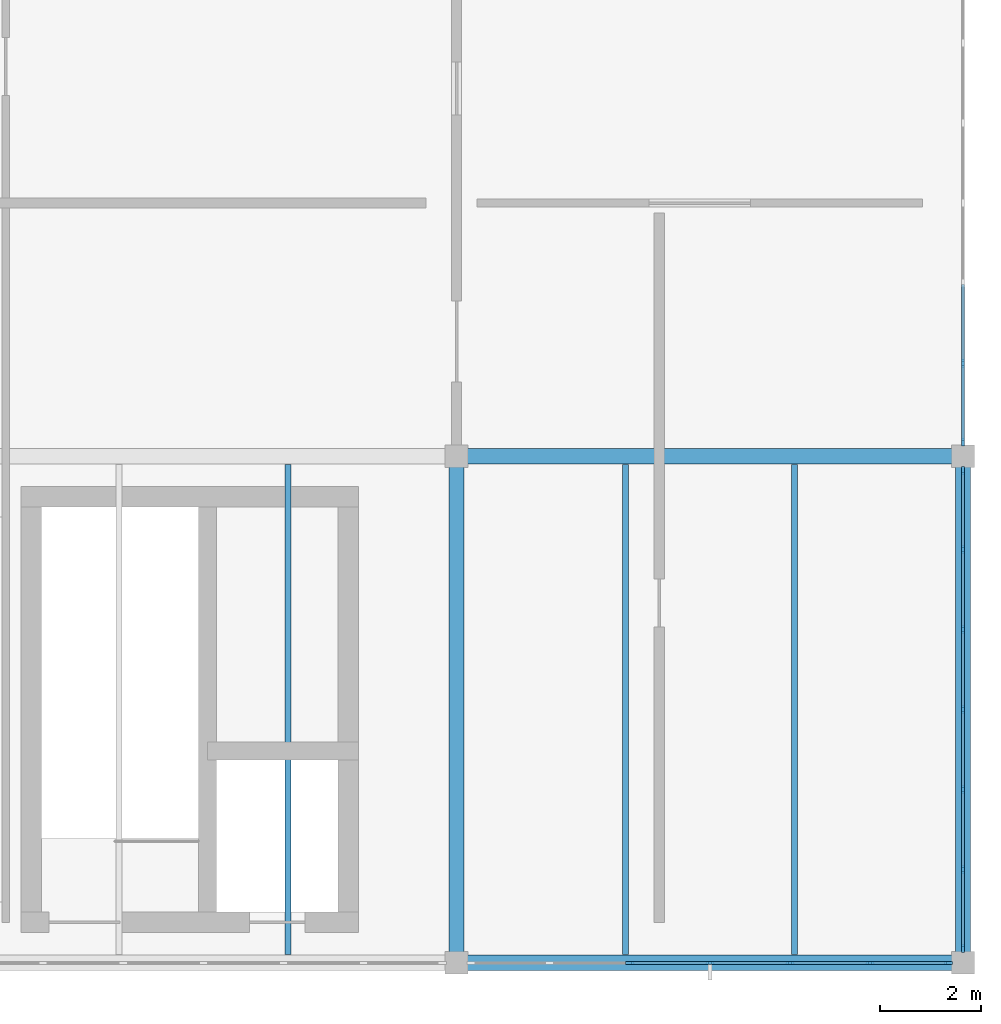
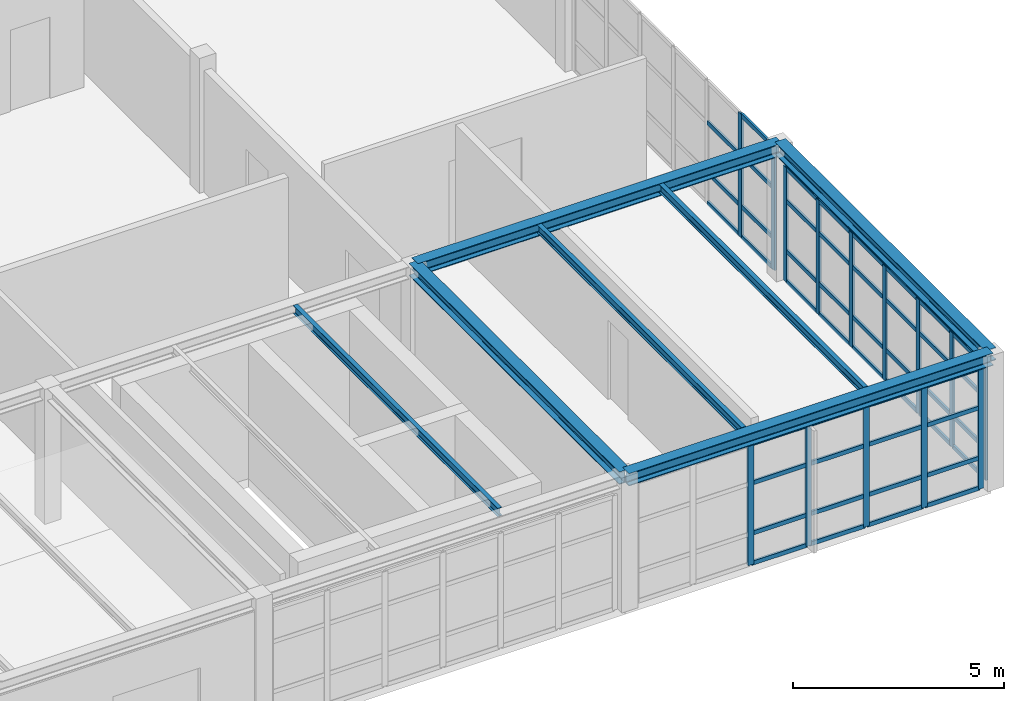
# One storey, part 3 of 11: 61 members, 7 beams, 3 elements without a shape of their own.
"""IFC4 building model written with IfcOpenShell, lengths in metres."""

from ifc_helpers import new_model, si_unit, direction, frame, origin, origin_2d, place, context, subcontext, project, spatial, rectangle, i_section, extrude, material, layer, layer_set, material_profile, profile_set, type_object, element, aggregate, save


model = new_model("IFC4")

# Units and contexts
model_context = context("Model", 3, precision=1e-05, world=origin(), true_north=direction((0.0, 1.0)))
body_context = subcontext(model_context, "Body", "Model", "MODEL_VIEW")
ifc_project = project(units=[si_unit("LENGTHUNIT", "METRE"), si_unit("AREAUNIT", "SQUARE_METRE"), si_unit("VOLUMEUNIT", "CUBIC_METRE"), si_unit("PLANEANGLEUNIT", "RADIAN"), si_unit("MASSUNIT", "GRAM", prefix="KILO"), si_unit("THERMODYNAMICTEMPERATUREUNIT", "KELVIN"), si_unit("POWERUNIT", "WATT")], contexts=[model_context])

# Site, building, storey
site_placement = place(None, origin())
site = spatial("IfcSite", under=ifc_project, at=site_placement, CompositionType="ELEMENT")
building_placement = place(site_placement, origin())
building = spatial("IfcBuilding", under=site, at=building_placement, Name="Korenveer Ferry Terminal", CompositionType="ELEMENT")
storey_placement = place(building_placement, frame((0.0, 0.0, 18.300048828125)))
storey = spatial("IfcBuildingStorey", under=building, at=storey_placement, Name="L04", CompositionType="ELEMENT", Elevation=18.300048828125)

# Curtain wall, members
ifc_material_1 = material(Name="Unitised bronze-and-glass curtain wall", Category="glass")
ifc_layer_1 = layer(ifc_material_1, 0.159912109375)
ifc_layer_set_1 = layer_set([ifc_layer_1], Name="Unitised bronze-and-glass curtain wall")
curtain_wall_type_1 = type_object("IfcCurtainWallType", Name="ENV-CW-130", PredefinedType="USERDEFINED", material=ifc_layer_set_1)
curtain_wall_1_placement = place(storey_placement, frame((20.2548828125, 20.0, 0.0)))
curtain_wall_1 = element("IfcCurtainWall", 1, at=curtain_wall_1_placement, inside=storey, type_object=curtain_wall_type_1, Name="Lancet curtain wall CWX-L04-X20-30-Y20-20", ObjectType="UNITISED CURTAIN WALL", PredefinedType="USERDEFINED")
ifc_material_2 = material(Name="Anodised bronze aluminium", Category="aluminium")
ifc_material_profile_1 = material_profile(ifc_material_2, rectangle(XDim=0.06005859375, YDim=0.159912109375, at=origin_2d()), Name="ALU 60x160")
ifc_profile_set_1 = profile_set([ifc_material_profile_1], Name="Anodised bronze aluminium")
member_type_1 = type_object("IfcMemberType", Name="ENV-CWM-60X160", PredefinedType="MULLION", material=ifc_profile_set_1)
member_1_placement = place(storey_placement, frame((23.418212890625, 20.0, 0.0), z_axis=(0.0, 0.0, 1.0), x_axis=(0.0, 1.0, 0.0)))
member_1 = element("IfcMember", 2, at=member_1_placement, type_object=member_type_1, Name="CW-130 mullion 3", PredefinedType="MULLION", context=body_context, shape_type="SweptSolid", body=[
    extrude(rectangle(XDim=0.06005859375, YDim=0.159912109375, at=origin_2d()), origin(), (0.0, 0.0, 1.0), 3.510009765625),
])
member_2_placement = place(storey_placement, frame((25.0, 20.0, 0.0), z_axis=(0.0, 0.0, 1.0), x_axis=(0.0, 1.0, 0.0)))
member_2 = element("IfcMember", 3, at=member_2_placement, type_object=member_type_1, Name="CW-130 mullion 4", PredefinedType="MULLION", context=body_context, shape_type="SweptSolid", body=[
    extrude(rectangle(XDim=0.06005859375, YDim=0.159912109375, at=origin_2d()), origin(), (0.0, 0.0, 1.0), 3.510009765625),
])
member_3_placement = place(storey_placement, frame((26.581787109375, 20.0, 0.0), z_axis=(0.0, 0.0, 1.0), x_axis=(0.0, 1.0, 0.0)))
member_3 = element("IfcMember", 4, at=member_3_placement, type_object=member_type_1, Name="CW-130 mullion 5", PredefinedType="MULLION", context=body_context, shape_type="SweptSolid", body=[
    extrude(rectangle(XDim=0.06005859375, YDim=0.159912109375, at=origin_2d()), origin(), (0.0, 0.0, 1.0), 3.510009765625),
])
member_4_placement = place(storey_placement, frame((28.163330078125, 20.0, 0.0), z_axis=(0.0, 0.0, 1.0), x_axis=(0.0, 1.0, 0.0)))
member_4 = element("IfcMember", 5, at=member_4_placement, type_object=member_type_1, Name="CW-130 mullion 6", PredefinedType="MULLION", context=body_context, shape_type="SweptSolid", body=[
    extrude(rectangle(XDim=0.06005859375, YDim=0.159912109375, at=origin_2d()), origin(), (0.0, 0.0, 1.0), 3.510009765625),
])
member_5_placement = place(storey_placement, frame((29.715087890625, 20.0, 0.0), z_axis=(0.0, 0.0, 1.0), x_axis=(0.0, 1.0, 0.0)))
member_5 = element("IfcMember", 6, at=member_5_placement, type_object=member_type_1, Name="CW-130 mullion 7", PredefinedType="MULLION", context=body_context, shape_type="SweptSolid", body=[
    extrude(rectangle(XDim=0.06005859375, YDim=0.159912109375, at=origin_2d()), origin(), (0.0, 0.0, 1.0), 3.510009765625),
])

ifc_layer_2 = layer(ifc_material_1, 0.159912109375)
ifc_layer_set_2 = layer_set([ifc_layer_2], Name="Unitised bronze-and-glass curtain wall")
curtain_wall_type_2 = type_object("IfcCurtainWallType", Name="ENV-CW-129", PredefinedType="USERDEFINED", material=ifc_layer_set_2)
curtain_wall_2_placement = place(storey_placement, frame((30.0, 29.7451171875, 0.0)))
curtain_wall_2 = element("IfcCurtainWall", 7, at=curtain_wall_2_placement, inside=storey, type_object=curtain_wall_type_2, Name="Lancet curtain wall CWX-L04-X30-30-Y20-30", ObjectType="UNITISED CURTAIN WALL", PredefinedType="USERDEFINED")
member_6_placement = place(storey_placement, frame((30.0, 29.715087890625, 0.0), z_axis=(0.0, 0.0, 1.0), x_axis=(1.0, 0.0, 0.0)))
member_6 = element("IfcMember", 8, at=member_6_placement, type_object=member_type_1, Name="CW-129 mullion 1", PredefinedType="MULLION", context=body_context, shape_type="SweptSolid", body=[
    extrude(rectangle(XDim=0.06005859375, YDim=0.159912109375, at=origin_2d()), origin(), (0.0, 0.0, 1.0), 3.31005859375),
])
member_7_placement = place(storey_placement, frame((30.0, 28.163330078125, 0.0), z_axis=(0.0, 0.0, 1.0), x_axis=(1.0, 0.0, 0.0)))
member_7 = element("IfcMember", 9, at=member_7_placement, type_object=member_type_1, Name="CW-129 mullion 2", PredefinedType="MULLION", context=body_context, shape_type="SweptSolid", body=[
    extrude(rectangle(XDim=0.06005859375, YDim=0.159912109375, at=origin_2d()), origin(), (0.0, 0.0, 1.0), 3.31005859375),
])
member_8_placement = place(storey_placement, frame((30.0, 26.581787109375, 0.0), z_axis=(0.0, 0.0, 1.0), x_axis=(1.0, 0.0, 0.0)))
member_8 = element("IfcMember", 10, at=member_8_placement, type_object=member_type_1, Name="CW-129 mullion 3", PredefinedType="MULLION", context=body_context, shape_type="SweptSolid", body=[
    extrude(rectangle(XDim=0.06005859375, YDim=0.159912109375, at=origin_2d()), origin(), (0.0, 0.0, 1.0), 3.31005859375),
])
member_9_placement = place(storey_placement, frame((30.0, 25.0, 0.0), z_axis=(0.0, 0.0, 1.0), x_axis=(1.0, 0.0, 0.0)))
member_9 = element("IfcMember", 11, at=member_9_placement, type_object=member_type_1, Name="CW-129 mullion 4", PredefinedType="MULLION", context=body_context, shape_type="SweptSolid", body=[
    extrude(rectangle(XDim=0.06005859375, YDim=0.159912109375, at=origin_2d()), origin(), (0.0, 0.0, 1.0), 3.31005859375),
])
member_10_placement = place(storey_placement, frame((30.0, 23.418212890625, 0.0), z_axis=(0.0, 0.0, 1.0), x_axis=(1.0, 0.0, 0.0)))
member_10 = element("IfcMember", 12, at=member_10_placement, type_object=member_type_1, Name="CW-129 mullion 5", PredefinedType="MULLION", context=body_context, shape_type="SweptSolid", body=[
    extrude(rectangle(XDim=0.06005859375, YDim=0.159912109375, at=origin_2d()), origin(), (0.0, 0.0, 1.0), 3.31005859375),
])
member_11_placement = place(storey_placement, frame((30.0, 21.836669921875, 0.0), z_axis=(0.0, 0.0, 1.0), x_axis=(1.0, 0.0, 0.0)))
member_11 = element("IfcMember", 13, at=member_11_placement, type_object=member_type_1, Name="CW-129 mullion 6", PredefinedType="MULLION", context=body_context, shape_type="SweptSolid", body=[
    extrude(rectangle(XDim=0.06005859375, YDim=0.159912109375, at=origin_2d()), origin(), (0.0, 0.0, 1.0), 3.31005859375),
])
member_12_placement = place(storey_placement, frame((30.0, 20.284912109375, 0.0), z_axis=(0.0, 0.0, 1.0), x_axis=(1.0, 0.0, 0.0)))
member_12 = element("IfcMember", 14, at=member_12_placement, type_object=member_type_1, Name="CW-129 mullion 7", PredefinedType="MULLION", context=body_context, shape_type="SweptSolid", body=[
    extrude(rectangle(XDim=0.06005859375, YDim=0.159912109375, at=origin_2d()), origin(), (0.0, 0.0, 1.0), 3.31005859375),
])

ifc_layer_3 = layer(ifc_material_1, 0.159912109375)
ifc_layer_set_3 = layer_set([ifc_layer_3], Name="Unitised bronze-and-glass curtain wall")
curtain_wall_type_3 = type_object("IfcCurtainWallType", Name="ENV-CW-132", PredefinedType="USERDEFINED", material=ifc_layer_set_3)
curtain_wall_3_placement = place(storey_placement, frame((30.0, 39.7451171875, 0.0)))
curtain_wall_3 = element("IfcCurtainWall", 15, at=curtain_wall_3_placement, inside=storey, type_object=curtain_wall_type_3, Name="Lancet curtain wall CWX-L04-X30-30-Y30-40", ObjectType="UNITISED CURTAIN WALL", PredefinedType="USERDEFINED")
member_13_placement = place(storey_placement, frame((30.0, 31.836669921875, 0.0), z_axis=(0.0, 0.0, 1.0), x_axis=(1.0, 0.0, 0.0)))
member_13 = element("IfcMember", 16, at=member_13_placement, type_object=member_type_1, Name="CW-132 mullion 6", PredefinedType="MULLION", context=body_context, shape_type="SweptSolid", body=[
    extrude(rectangle(XDim=0.06005859375, YDim=0.159912109375, at=origin_2d()), origin(), (0.0, 0.0, 1.0), 3.56005859375),
])
member_14_placement = place(storey_placement, frame((30.0, 30.284912109375, 0.0), z_axis=(0.0, 0.0, 1.0), x_axis=(1.0, 0.0, 0.0)))
member_14 = element("IfcMember", 17, at=member_14_placement, type_object=member_type_1, Name="CW-132 mullion 7", PredefinedType="MULLION", context=body_context, shape_type="SweptSolid", body=[
    extrude(rectangle(XDim=0.06005859375, YDim=0.159912109375, at=origin_2d()), origin(), (0.0, 0.0, 1.0), 3.56005859375),
])

# Member
ifc_material_profile_2 = material_profile(ifc_material_2, rectangle(XDim=0.06005859375, YDim=0.1201171875, at=origin_2d()), Name="ALU 60x120")
ifc_profile_set_2 = profile_set([ifc_material_profile_2], Name="Anodised bronze aluminium")
member_type_2 = type_object("IfcMemberType", Name="ENV-CWT-60X120", PredefinedType="USERDEFINED", material=ifc_profile_set_2)
member_15_placement = place(storey_placement, frame((23.4482421875, 20.0, 0.030029296875), z_axis=(1.0, 0.0, 0.0), x_axis=(0.0, 1.0, 0.0)))
member_15 = element("IfcMember", 18, at=member_15_placement, type_object=member_type_2, Name="CW-130 transom 3.1", ObjectType="TRANSOM", PredefinedType="USERDEFINED", context=body_context, shape_type="SweptSolid", body=[
    extrude(rectangle(XDim=0.06005859375, YDim=0.1201171875, at=origin_2d()), origin(), (0.0, 0.0, 1.0), 1.521728515625),
])

member_16_placement = place(storey_placement, frame((23.4482421875, 20.0, 0.89990234375), z_axis=(1.0, 0.0, 0.0), x_axis=(0.0, 1.0, 0.0)))
member_16 = element("IfcMember", 19, at=member_16_placement, type_object=member_type_2, Name="CW-130 transom 3.2", ObjectType="TRANSOM", PredefinedType="USERDEFINED", context=body_context, shape_type="SweptSolid", body=[
    extrude(rectangle(XDim=0.06005859375, YDim=0.1201171875, at=origin_2d()), origin(), (0.0, 0.0, 1.0), 1.521728515625),
])

member_17_placement = place(storey_placement, frame((23.4482421875, 20.0, 2.349853515625), z_axis=(1.0, 0.0, 0.0), x_axis=(0.0, 1.0, 0.0)))
member_17 = element("IfcMember", 20, at=member_17_placement, type_object=member_type_2, Name="CW-130 transom 3.3", ObjectType="TRANSOM", PredefinedType="USERDEFINED", context=body_context, shape_type="SweptSolid", body=[
    extrude(rectangle(XDim=0.06005859375, YDim=0.1201171875, at=origin_2d()), origin(), (0.0, 0.0, 1.0), 1.521728515625),
])

member_18_placement = place(storey_placement, frame((23.4482421875, 20.0, 3.47998046875), z_axis=(1.0, 0.0, 0.0), x_axis=(0.0, 1.0, 0.0)))
member_18 = element("IfcMember", 21, at=member_18_placement, type_object=member_type_2, Name="CW-130 transom 3.4", ObjectType="TRANSOM", PredefinedType="USERDEFINED", context=body_context, shape_type="SweptSolid", body=[
    extrude(rectangle(XDim=0.06005859375, YDim=0.1201171875, at=origin_2d()), origin(), (0.0, 0.0, 1.0), 1.521728515625),
])

member_19_placement = place(storey_placement, frame((25.030029296875, 20.0, 0.030029296875), z_axis=(1.0, 0.0, 0.0), x_axis=(0.0, 1.0, 0.0)))
member_19 = element("IfcMember", 22, at=member_19_placement, type_object=member_type_2, Name="CW-130 transom 4.1", ObjectType="TRANSOM", PredefinedType="USERDEFINED", context=body_context, shape_type="SweptSolid", body=[
    extrude(rectangle(XDim=0.06005859375, YDim=0.1201171875, at=origin_2d()), origin(), (0.0, 0.0, 1.0), 1.521728515625),
])

member_20_placement = place(storey_placement, frame((25.030029296875, 20.0, 0.89990234375), z_axis=(1.0, 0.0, 0.0), x_axis=(0.0, 1.0, 0.0)))
member_20 = element("IfcMember", 23, at=member_20_placement, type_object=member_type_2, Name="CW-130 transom 4.2", ObjectType="TRANSOM", PredefinedType="USERDEFINED", context=body_context, shape_type="SweptSolid", body=[
    extrude(rectangle(XDim=0.06005859375, YDim=0.1201171875, at=origin_2d()), origin(), (0.0, 0.0, 1.0), 1.521728515625),
])

member_21_placement = place(storey_placement, frame((25.030029296875, 20.0, 2.349853515625), z_axis=(1.0, 0.0, 0.0), x_axis=(0.0, 1.0, 0.0)))
member_21 = element("IfcMember", 24, at=member_21_placement, type_object=member_type_2, Name="CW-130 transom 4.3", ObjectType="TRANSOM", PredefinedType="USERDEFINED", context=body_context, shape_type="SweptSolid", body=[
    extrude(rectangle(XDim=0.06005859375, YDim=0.1201171875, at=origin_2d()), origin(), (0.0, 0.0, 1.0), 1.521728515625),
])

member_22_placement = place(storey_placement, frame((25.030029296875, 20.0, 3.47998046875), z_axis=(1.0, 0.0, 0.0), x_axis=(0.0, 1.0, 0.0)))
member_22 = element("IfcMember", 25, at=member_22_placement, type_object=member_type_2, Name="CW-130 transom 4.4", ObjectType="TRANSOM", PredefinedType="USERDEFINED", context=body_context, shape_type="SweptSolid", body=[
    extrude(rectangle(XDim=0.06005859375, YDim=0.1201171875, at=origin_2d()), origin(), (0.0, 0.0, 1.0), 1.521728515625),
])

member_23_placement = place(storey_placement, frame((26.611572265625, 20.0, 0.030029296875), z_axis=(1.0, 0.0, 0.0), x_axis=(0.0, 1.0, 0.0)))
member_23 = element("IfcMember", 26, at=member_23_placement, type_object=member_type_2, Name="CW-130 transom 5.1", ObjectType="TRANSOM", PredefinedType="USERDEFINED", context=body_context, shape_type="SweptSolid", body=[
    extrude(rectangle(XDim=0.06005859375, YDim=0.1201171875, at=origin_2d()), origin(), (0.0, 0.0, 1.0), 1.521728515625),
])

member_24_placement = place(storey_placement, frame((26.611572265625, 20.0, 0.89990234375), z_axis=(1.0, 0.0, 0.0), x_axis=(0.0, 1.0, 0.0)))
member_24 = element("IfcMember", 27, at=member_24_placement, type_object=member_type_2, Name="CW-130 transom 5.2", ObjectType="TRANSOM", PredefinedType="USERDEFINED", context=body_context, shape_type="SweptSolid", body=[
    extrude(rectangle(XDim=0.06005859375, YDim=0.1201171875, at=origin_2d()), origin(), (0.0, 0.0, 1.0), 1.521728515625),
])

member_25_placement = place(storey_placement, frame((26.611572265625, 20.0, 2.349853515625), z_axis=(1.0, 0.0, 0.0), x_axis=(0.0, 1.0, 0.0)))
member_25 = element("IfcMember", 28, at=member_25_placement, type_object=member_type_2, Name="CW-130 transom 5.3", ObjectType="TRANSOM", PredefinedType="USERDEFINED", context=body_context, shape_type="SweptSolid", body=[
    extrude(rectangle(XDim=0.06005859375, YDim=0.1201171875, at=origin_2d()), origin(), (0.0, 0.0, 1.0), 1.521728515625),
])

member_26_placement = place(storey_placement, frame((26.611572265625, 20.0, 3.47998046875), z_axis=(1.0, 0.0, 0.0), x_axis=(0.0, 1.0, 0.0)))
member_26 = element("IfcMember", 29, at=member_26_placement, type_object=member_type_2, Name="CW-130 transom 5.4", ObjectType="TRANSOM", PredefinedType="USERDEFINED", context=body_context, shape_type="SweptSolid", body=[
    extrude(rectangle(XDim=0.06005859375, YDim=0.1201171875, at=origin_2d()), origin(), (0.0, 0.0, 1.0), 1.521728515625),
])

member_27_placement = place(storey_placement, frame((28.193359375, 20.0, 0.030029296875), z_axis=(1.0, 0.0, 0.0), x_axis=(0.0, 1.0, 0.0)))
member_27 = element("IfcMember", 30, at=member_27_placement, type_object=member_type_2, Name="CW-130 transom 6.1", ObjectType="TRANSOM", PredefinedType="USERDEFINED", context=body_context, shape_type="SweptSolid", body=[
    extrude(rectangle(XDim=0.06005859375, YDim=0.1201171875, at=origin_2d()), origin(), (0.0, 0.0, 1.0), 1.49169921875),
])

member_28_placement = place(storey_placement, frame((28.193359375, 20.0, 0.89990234375), z_axis=(1.0, 0.0, 0.0), x_axis=(0.0, 1.0, 0.0)))
member_28 = element("IfcMember", 31, at=member_28_placement, type_object=member_type_2, Name="CW-130 transom 6.2", ObjectType="TRANSOM", PredefinedType="USERDEFINED", context=body_context, shape_type="SweptSolid", body=[
    extrude(rectangle(XDim=0.06005859375, YDim=0.1201171875, at=origin_2d()), origin(), (0.0, 0.0, 1.0), 1.49169921875),
])

member_29_placement = place(storey_placement, frame((28.193359375, 20.0, 2.349853515625), z_axis=(1.0, 0.0, 0.0), x_axis=(0.0, 1.0, 0.0)))
member_29 = element("IfcMember", 32, at=member_29_placement, type_object=member_type_2, Name="CW-130 transom 6.3", ObjectType="TRANSOM", PredefinedType="USERDEFINED", context=body_context, shape_type="SweptSolid", body=[
    extrude(rectangle(XDim=0.06005859375, YDim=0.1201171875, at=origin_2d()), origin(), (0.0, 0.0, 1.0), 1.49169921875),
])

member_30_placement = place(storey_placement, frame((28.193359375, 20.0, 3.47998046875), z_axis=(1.0, 0.0, 0.0), x_axis=(0.0, 1.0, 0.0)))
member_30 = element("IfcMember", 33, at=member_30_placement, type_object=member_type_2, Name="CW-130 transom 6.4", ObjectType="TRANSOM", PredefinedType="USERDEFINED", context=body_context, shape_type="SweptSolid", body=[
    extrude(rectangle(XDim=0.06005859375, YDim=0.1201171875, at=origin_2d()), origin(), (0.0, 0.0, 1.0), 1.49169921875),
])

aggregate(curtain_wall_1, [member_1, member_2, member_3, member_4, member_5, member_15, member_16, member_17, member_18, member_19, member_20, member_21, member_22, member_23, member_24, member_25, member_26, member_27, member_28, member_29, member_30])

member_31_placement = place(storey_placement, frame((30.0, 29.68505859375, 0.030029296875), z_axis=(0.0, -1.0, 0.0), x_axis=(1.0, 0.0, 0.0)))
member_31 = element("IfcMember", 34, at=member_31_placement, type_object=member_type_2, Name="CW-129 transom 1.1", ObjectType="TRANSOM", PredefinedType="USERDEFINED", context=body_context, shape_type="SweptSolid", body=[
    extrude(rectangle(XDim=0.06005859375, YDim=0.1201171875, at=origin_2d()), origin(), (0.0, 0.0, 1.0), 1.49169921875),
])

member_32_placement = place(storey_placement, frame((30.0, 29.68505859375, 0.89990234375), z_axis=(0.0, -1.0, 0.0), x_axis=(1.0, 0.0, 0.0)))
member_32 = element("IfcMember", 35, at=member_32_placement, type_object=member_type_2, Name="CW-129 transom 1.2", ObjectType="TRANSOM", PredefinedType="USERDEFINED", context=body_context, shape_type="SweptSolid", body=[
    extrude(rectangle(XDim=0.06005859375, YDim=0.1201171875, at=origin_2d()), origin(), (0.0, 0.0, 1.0), 1.49169921875),
])

member_33_placement = place(storey_placement, frame((30.0, 29.68505859375, 2.349853515625), z_axis=(0.0, -1.0, 0.0), x_axis=(1.0, 0.0, 0.0)))
member_33 = element("IfcMember", 36, at=member_33_placement, type_object=member_type_2, Name="CW-129 transom 1.3", ObjectType="TRANSOM", PredefinedType="USERDEFINED", context=body_context, shape_type="SweptSolid", body=[
    extrude(rectangle(XDim=0.06005859375, YDim=0.1201171875, at=origin_2d()), origin(), (0.0, 0.0, 1.0), 1.49169921875),
])

member_34_placement = place(storey_placement, frame((30.0, 29.68505859375, 3.280029296875), z_axis=(0.0, -1.0, 0.0), x_axis=(1.0, 0.0, 0.0)))
member_34 = element("IfcMember", 37, at=member_34_placement, type_object=member_type_2, Name="CW-129 transom 1.4", ObjectType="TRANSOM", PredefinedType="USERDEFINED", context=body_context, shape_type="SweptSolid", body=[
    extrude(rectangle(XDim=0.06005859375, YDim=0.1201171875, at=origin_2d()), origin(), (0.0, 0.0, 1.0), 1.49169921875),
])

member_35_placement = place(storey_placement, frame((30.0, 28.13330078125, 0.030029296875), z_axis=(0.0, -1.0, 0.0), x_axis=(1.0, 0.0, 0.0)))
member_35 = element("IfcMember", 38, at=member_35_placement, type_object=member_type_2, Name="CW-129 transom 2.1", ObjectType="TRANSOM", PredefinedType="USERDEFINED", context=body_context, shape_type="SweptSolid", body=[
    extrude(rectangle(XDim=0.06005859375, YDim=0.1201171875, at=origin_2d()), origin(), (0.0, 0.0, 1.0), 1.521728515625),
])

member_36_placement = place(storey_placement, frame((30.0, 28.13330078125, 0.89990234375), z_axis=(0.0, -1.0, 0.0), x_axis=(1.0, 0.0, 0.0)))
member_36 = element("IfcMember", 39, at=member_36_placement, type_object=member_type_2, Name="CW-129 transom 2.2", ObjectType="TRANSOM", PredefinedType="USERDEFINED", context=body_context, shape_type="SweptSolid", body=[
    extrude(rectangle(XDim=0.06005859375, YDim=0.1201171875, at=origin_2d()), origin(), (0.0, 0.0, 1.0), 1.521728515625),
])

member_37_placement = place(storey_placement, frame((30.0, 28.13330078125, 2.349853515625), z_axis=(0.0, -1.0, 0.0), x_axis=(1.0, 0.0, 0.0)))
member_37 = element("IfcMember", 40, at=member_37_placement, type_object=member_type_2, Name="CW-129 transom 2.3", ObjectType="TRANSOM", PredefinedType="USERDEFINED", context=body_context, shape_type="SweptSolid", body=[
    extrude(rectangle(XDim=0.06005859375, YDim=0.1201171875, at=origin_2d()), origin(), (0.0, 0.0, 1.0), 1.521728515625),
])

member_38_placement = place(storey_placement, frame((30.0, 28.13330078125, 3.280029296875), z_axis=(0.0, -1.0, 0.0), x_axis=(1.0, 0.0, 0.0)))
member_38 = element("IfcMember", 41, at=member_38_placement, type_object=member_type_2, Name="CW-129 transom 2.4", ObjectType="TRANSOM", PredefinedType="USERDEFINED", context=body_context, shape_type="SweptSolid", body=[
    extrude(rectangle(XDim=0.06005859375, YDim=0.1201171875, at=origin_2d()), origin(), (0.0, 0.0, 1.0), 1.521728515625),
])

member_39_placement = place(storey_placement, frame((30.0, 26.5517578125, 0.030029296875), z_axis=(0.0, -1.0, 0.0), x_axis=(1.0, 0.0, 0.0)))
member_39 = element("IfcMember", 42, at=member_39_placement, type_object=member_type_2, Name="CW-129 transom 3.1", ObjectType="TRANSOM", PredefinedType="USERDEFINED", context=body_context, shape_type="SweptSolid", body=[
    extrude(rectangle(XDim=0.06005859375, YDim=0.1201171875, at=origin_2d()), origin(), (0.0, 0.0, 1.0), 1.521728515625),
])

member_40_placement = place(storey_placement, frame((30.0, 26.5517578125, 0.89990234375), z_axis=(0.0, -1.0, 0.0), x_axis=(1.0, 0.0, 0.0)))
member_40 = element("IfcMember", 43, at=member_40_placement, type_object=member_type_2, Name="CW-129 transom 3.2", ObjectType="TRANSOM", PredefinedType="USERDEFINED", context=body_context, shape_type="SweptSolid", body=[
    extrude(rectangle(XDim=0.06005859375, YDim=0.1201171875, at=origin_2d()), origin(), (0.0, 0.0, 1.0), 1.521728515625),
])

member_41_placement = place(storey_placement, frame((30.0, 26.5517578125, 2.349853515625), z_axis=(0.0, -1.0, 0.0), x_axis=(1.0, 0.0, 0.0)))
member_41 = element("IfcMember", 44, at=member_41_placement, type_object=member_type_2, Name="CW-129 transom 3.3", ObjectType="TRANSOM", PredefinedType="USERDEFINED", context=body_context, shape_type="SweptSolid", body=[
    extrude(rectangle(XDim=0.06005859375, YDim=0.1201171875, at=origin_2d()), origin(), (0.0, 0.0, 1.0), 1.521728515625),
])

member_42_placement = place(storey_placement, frame((30.0, 26.5517578125, 3.280029296875), z_axis=(0.0, -1.0, 0.0), x_axis=(1.0, 0.0, 0.0)))
member_42 = element("IfcMember", 45, at=member_42_placement, type_object=member_type_2, Name="CW-129 transom 3.4", ObjectType="TRANSOM", PredefinedType="USERDEFINED", context=body_context, shape_type="SweptSolid", body=[
    extrude(rectangle(XDim=0.06005859375, YDim=0.1201171875, at=origin_2d()), origin(), (0.0, 0.0, 1.0), 1.521728515625),
])

member_43_placement = place(storey_placement, frame((30.0, 24.969970703125, 0.030029296875), z_axis=(0.0, -1.0, 0.0), x_axis=(1.0, 0.0, 0.0)))
member_43 = element("IfcMember", 46, at=member_43_placement, type_object=member_type_2, Name="CW-129 transom 4.1", ObjectType="TRANSOM", PredefinedType="USERDEFINED", context=body_context, shape_type="SweptSolid", body=[
    extrude(rectangle(XDim=0.06005859375, YDim=0.1201171875, at=origin_2d()), origin(), (0.0, 0.0, 1.0), 1.521728515625),
])

member_44_placement = place(storey_placement, frame((30.0, 24.969970703125, 0.89990234375), z_axis=(0.0, -1.0, 0.0), x_axis=(1.0, 0.0, 0.0)))
member_44 = element("IfcMember", 47, at=member_44_placement, type_object=member_type_2, Name="CW-129 transom 4.2", ObjectType="TRANSOM", PredefinedType="USERDEFINED", context=body_context, shape_type="SweptSolid", body=[
    extrude(rectangle(XDim=0.06005859375, YDim=0.1201171875, at=origin_2d()), origin(), (0.0, 0.0, 1.0), 1.521728515625),
])

member_45_placement = place(storey_placement, frame((30.0, 24.969970703125, 2.349853515625), z_axis=(0.0, -1.0, 0.0), x_axis=(1.0, 0.0, 0.0)))
member_45 = element("IfcMember", 48, at=member_45_placement, type_object=member_type_2, Name="CW-129 transom 4.3", ObjectType="TRANSOM", PredefinedType="USERDEFINED", context=body_context, shape_type="SweptSolid", body=[
    extrude(rectangle(XDim=0.06005859375, YDim=0.1201171875, at=origin_2d()), origin(), (0.0, 0.0, 1.0), 1.521728515625),
])

member_46_placement = place(storey_placement, frame((30.0, 24.969970703125, 3.280029296875), z_axis=(0.0, -1.0, 0.0), x_axis=(1.0, 0.0, 0.0)))
member_46 = element("IfcMember", 49, at=member_46_placement, type_object=member_type_2, Name="CW-129 transom 4.4", ObjectType="TRANSOM", PredefinedType="USERDEFINED", context=body_context, shape_type="SweptSolid", body=[
    extrude(rectangle(XDim=0.06005859375, YDim=0.1201171875, at=origin_2d()), origin(), (0.0, 0.0, 1.0), 1.521728515625),
])

member_47_placement = place(storey_placement, frame((30.0, 23.388427734375, 0.030029296875), z_axis=(0.0, -1.0, 0.0), x_axis=(1.0, 0.0, 0.0)))
member_47 = element("IfcMember", 50, at=member_47_placement, type_object=member_type_2, Name="CW-129 transom 5.1", ObjectType="TRANSOM", PredefinedType="USERDEFINED", context=body_context, shape_type="SweptSolid", body=[
    extrude(rectangle(XDim=0.06005859375, YDim=0.1201171875, at=origin_2d()), origin(), (0.0, 0.0, 1.0), 1.521728515625),
])

member_48_placement = place(storey_placement, frame((30.0, 23.388427734375, 0.89990234375), z_axis=(0.0, -1.0, 0.0), x_axis=(1.0, 0.0, 0.0)))
member_48 = element("IfcMember", 51, at=member_48_placement, type_object=member_type_2, Name="CW-129 transom 5.2", ObjectType="TRANSOM", PredefinedType="USERDEFINED", context=body_context, shape_type="SweptSolid", body=[
    extrude(rectangle(XDim=0.06005859375, YDim=0.1201171875, at=origin_2d()), origin(), (0.0, 0.0, 1.0), 1.521728515625),
])

member_49_placement = place(storey_placement, frame((30.0, 23.388427734375, 2.349853515625), z_axis=(0.0, -1.0, 0.0), x_axis=(1.0, 0.0, 0.0)))
member_49 = element("IfcMember", 52, at=member_49_placement, type_object=member_type_2, Name="CW-129 transom 5.3", ObjectType="TRANSOM", PredefinedType="USERDEFINED", context=body_context, shape_type="SweptSolid", body=[
    extrude(rectangle(XDim=0.06005859375, YDim=0.1201171875, at=origin_2d()), origin(), (0.0, 0.0, 1.0), 1.521728515625),
])

member_50_placement = place(storey_placement, frame((30.0, 23.388427734375, 3.280029296875), z_axis=(0.0, -1.0, 0.0), x_axis=(1.0, 0.0, 0.0)))
member_50 = element("IfcMember", 53, at=member_50_placement, type_object=member_type_2, Name="CW-129 transom 5.4", ObjectType="TRANSOM", PredefinedType="USERDEFINED", context=body_context, shape_type="SweptSolid", body=[
    extrude(rectangle(XDim=0.06005859375, YDim=0.1201171875, at=origin_2d()), origin(), (0.0, 0.0, 1.0), 1.521728515625),
])

member_51_placement = place(storey_placement, frame((30.0, 21.806640625, 0.030029296875), z_axis=(0.0, -1.0, 0.0), x_axis=(1.0, 0.0, 0.0)))
member_51 = element("IfcMember", 54, at=member_51_placement, type_object=member_type_2, Name="CW-129 transom 6.1", ObjectType="TRANSOM", PredefinedType="USERDEFINED", context=body_context, shape_type="SweptSolid", body=[
    extrude(rectangle(XDim=0.06005859375, YDim=0.1201171875, at=origin_2d()), origin(), (0.0, 0.0, 1.0), 1.49169921875),
])

member_52_placement = place(storey_placement, frame((30.0, 21.806640625, 0.89990234375), z_axis=(0.0, -1.0, 0.0), x_axis=(1.0, 0.0, 0.0)))
member_52 = element("IfcMember", 55, at=member_52_placement, type_object=member_type_2, Name="CW-129 transom 6.2", ObjectType="TRANSOM", PredefinedType="USERDEFINED", context=body_context, shape_type="SweptSolid", body=[
    extrude(rectangle(XDim=0.06005859375, YDim=0.1201171875, at=origin_2d()), origin(), (0.0, 0.0, 1.0), 1.49169921875),
])

member_53_placement = place(storey_placement, frame((30.0, 21.806640625, 2.349853515625), z_axis=(0.0, -1.0, 0.0), x_axis=(1.0, 0.0, 0.0)))
member_53 = element("IfcMember", 56, at=member_53_placement, type_object=member_type_2, Name="CW-129 transom 6.3", ObjectType="TRANSOM", PredefinedType="USERDEFINED", context=body_context, shape_type="SweptSolid", body=[
    extrude(rectangle(XDim=0.06005859375, YDim=0.1201171875, at=origin_2d()), origin(), (0.0, 0.0, 1.0), 1.49169921875),
])

member_54_placement = place(storey_placement, frame((30.0, 21.806640625, 3.280029296875), z_axis=(0.0, -1.0, 0.0), x_axis=(1.0, 0.0, 0.0)))
member_54 = element("IfcMember", 57, at=member_54_placement, type_object=member_type_2, Name="CW-129 transom 6.4", ObjectType="TRANSOM", PredefinedType="USERDEFINED", context=body_context, shape_type="SweptSolid", body=[
    extrude(rectangle(XDim=0.06005859375, YDim=0.1201171875, at=origin_2d()), origin(), (0.0, 0.0, 1.0), 1.49169921875),
])

aggregate(curtain_wall_2, [member_6, member_7, member_8, member_9, member_10, member_11, member_12, member_31, member_32, member_33, member_34, member_35, member_36, member_37, member_38, member_39, member_40, member_41, member_42, member_43, member_44, member_45, member_46, member_47, member_48, member_49, member_50, member_51, member_52, member_53, member_54])

member_55_placement = place(storey_placement, frame((30.0, 33.388427734375, 0.030029296875), z_axis=(0.0, -1.0, 0.0), x_axis=(1.0, 0.0, 0.0)))
member_55 = element("IfcMember", 58, at=member_55_placement, type_object=member_type_2, Name="CW-132 transom 5.1", ObjectType="TRANSOM", PredefinedType="USERDEFINED", context=body_context, shape_type="SweptSolid", body=[
    extrude(rectangle(XDim=0.06005859375, YDim=0.1201171875, at=origin_2d()), origin(), (0.0, 0.0, 1.0), 1.521728515625),
])

member_56_placement = place(storey_placement, frame((30.0, 33.388427734375, 0.89990234375), z_axis=(0.0, -1.0, 0.0), x_axis=(1.0, 0.0, 0.0)))
member_56 = element("IfcMember", 59, at=member_56_placement, type_object=member_type_2, Name="CW-132 transom 5.2", ObjectType="TRANSOM", PredefinedType="USERDEFINED", context=body_context, shape_type="SweptSolid", body=[
    extrude(rectangle(XDim=0.06005859375, YDim=0.1201171875, at=origin_2d()), origin(), (0.0, 0.0, 1.0), 1.521728515625),
])

member_57_placement = place(storey_placement, frame((30.0, 33.388427734375, 2.349853515625), z_axis=(0.0, -1.0, 0.0), x_axis=(1.0, 0.0, 0.0)))
member_57 = element("IfcMember", 60, at=member_57_placement, type_object=member_type_2, Name="CW-132 transom 5.3", ObjectType="TRANSOM", PredefinedType="USERDEFINED", context=body_context, shape_type="SweptSolid", body=[
    extrude(rectangle(XDim=0.06005859375, YDim=0.1201171875, at=origin_2d()), origin(), (0.0, 0.0, 1.0), 1.521728515625),
])

member_58_placement = place(storey_placement, frame((30.0, 31.806640625, 0.030029296875), z_axis=(0.0, -1.0, 0.0), x_axis=(1.0, 0.0, 0.0)))
member_58 = element("IfcMember", 61, at=member_58_placement, type_object=member_type_2, Name="CW-132 transom 6.1", ObjectType="TRANSOM", PredefinedType="USERDEFINED", context=body_context, shape_type="SweptSolid", body=[
    extrude(rectangle(XDim=0.06005859375, YDim=0.1201171875, at=origin_2d()), origin(), (0.0, 0.0, 1.0), 1.49169921875),
])

member_59_placement = place(storey_placement, frame((30.0, 31.806640625, 0.89990234375), z_axis=(0.0, -1.0, 0.0), x_axis=(1.0, 0.0, 0.0)))
member_59 = element("IfcMember", 62, at=member_59_placement, type_object=member_type_2, Name="CW-132 transom 6.2", ObjectType="TRANSOM", PredefinedType="USERDEFINED", context=body_context, shape_type="SweptSolid", body=[
    extrude(rectangle(XDim=0.06005859375, YDim=0.1201171875, at=origin_2d()), origin(), (0.0, 0.0, 1.0), 1.49169921875),
])

member_60_placement = place(storey_placement, frame((30.0, 31.806640625, 2.349853515625), z_axis=(0.0, -1.0, 0.0), x_axis=(1.0, 0.0, 0.0)))
member_60 = element("IfcMember", 63, at=member_60_placement, type_object=member_type_2, Name="CW-132 transom 6.3", ObjectType="TRANSOM", PredefinedType="USERDEFINED", context=body_context, shape_type="SweptSolid", body=[
    extrude(rectangle(XDim=0.06005859375, YDim=0.1201171875, at=origin_2d()), origin(), (0.0, 0.0, 1.0), 1.49169921875),
])

member_61_placement = place(storey_placement, frame((30.0, 31.806640625, 3.530029296875), z_axis=(0.0, -1.0, 0.0), x_axis=(1.0, 0.0, 0.0)))
member_61 = element("IfcMember", 64, at=member_61_placement, type_object=member_type_2, Name="CW-132 transom 6.4", ObjectType="TRANSOM", PredefinedType="USERDEFINED", context=body_context, shape_type="SweptSolid", body=[
    extrude(rectangle(XDim=0.06005859375, YDim=0.1201171875, at=origin_2d()), origin(), (0.0, 0.0, 1.0), 1.49169921875),
])

aggregate(curtain_wall_3, [member_13, member_14, member_55, member_56, member_57, member_58, member_59, member_60, member_61])

# Beams
ifc_material_3 = material(Name="Steel S355", Category="steel")
ifc_material_profile_3 = material_profile(ifc_material_3, i_section(OverallWidth=0.300048828125, OverallDepth=0.360107421875, WebThickness=0.012451171875, FlangeThickness=0.0224609375, FilletRadius=0.027099609375, at=origin_2d()), Name="HEB 360")
ifc_profile_set_3 = profile_set([ifc_material_profile_3], Name="Steel S355")
beam_type_1 = type_object("IfcBeamType", Name="STR-BM-HEB360", PredefinedType="BEAM", material=ifc_profile_set_3)
for number, where, z_axis, x_axis, name in (
    (65, (20.02001953125, 20.0, 3.719970703125), (1.0, 0.0, 0.0), (0.0, 1.0, 0.0), "Head-house X beam 20 20"),
    (66, (20.02001953125, 30.0, 3.719970703125), (1.0, 0.0, 0.0), (0.0, 1.0, 0.0), "Head-house X beam 20 30"),
    (67, (20.0, 20.02001953125, 3.719970703125), (0.0, 1.0, 0.0), (-1.0, 0.0, 0.0), "Head-house Y beam 20"),
    (68, (30.0, 20.02001953125, 3.719970703125), (0.0, 1.0, 0.0), (-1.0, 0.0, 0.0), "Head-house Y beam 30"),
):
    element("IfcBeam", number, at=place(storey_placement, frame(where, z_axis=z_axis, x_axis=x_axis)), inside=storey, type_object=beam_type_1, Name=name, PredefinedType="BEAM", context=body_context, shape_type="SweptSolid", body=[
        extrude(i_section(OverallWidth=0.300048828125, OverallDepth=0.360107421875, WebThickness=0.012451171875, FlangeThickness=0.0224609375, FilletRadius=0.027099609375, at=origin_2d()), origin(), (0.0, 0.0, 1.0), 9.9599609375),
    ])
ifc_material_profile_4 = material_profile(ifc_material_3, i_section(OverallWidth=0.1201171875, OverallDepth=0.239990234375, WebThickness=0.006103515625, FlangeThickness=0.009765625, FilletRadius=0.014892578125, at=origin_2d()), Name="IPE 240")
ifc_profile_set_4 = profile_set([ifc_material_profile_4], Name="Steel S355")
beam_type_2 = type_object("IfcBeamType", Name="STR-JST-IPE240", PredefinedType="JOIST", material=ifc_profile_set_4)
for number, where, z_axis, x_axis, name in (
    (69, (16.666748046875, 20.159912109375, 3.780029296875), (0.0, 1.0, 0.0), (-1.0, 0.0, 0.0), "Head-house roof joist 16.7"),
    (70, (23.333251953125, 20.159912109375, 3.780029296875), (0.0, 1.0, 0.0), (-1.0, 0.0, 0.0), "Head-house roof joist 23.3"),
    (71, (26.666748046875, 20.159912109375, 3.780029296875), (0.0, 1.0, 0.0), (-1.0, 0.0, 0.0), "Head-house roof joist 26.7"),
):
    element("IfcBeam", number, at=place(storey_placement, frame(where, z_axis=z_axis, x_axis=x_axis)), inside=storey, type_object=beam_type_2, Name=name, PredefinedType="JOIST", context=body_context, shape_type="SweptSolid", body=[
        extrude(i_section(OverallWidth=0.1201171875, OverallDepth=0.239990234375, WebThickness=0.006103515625, FlangeThickness=0.009765625, FilletRadius=0.014892578125, at=origin_2d()), origin(), (0.0, 0.0, 1.0), 9.68017578125),
    ])

save(model, "model.ifc")
